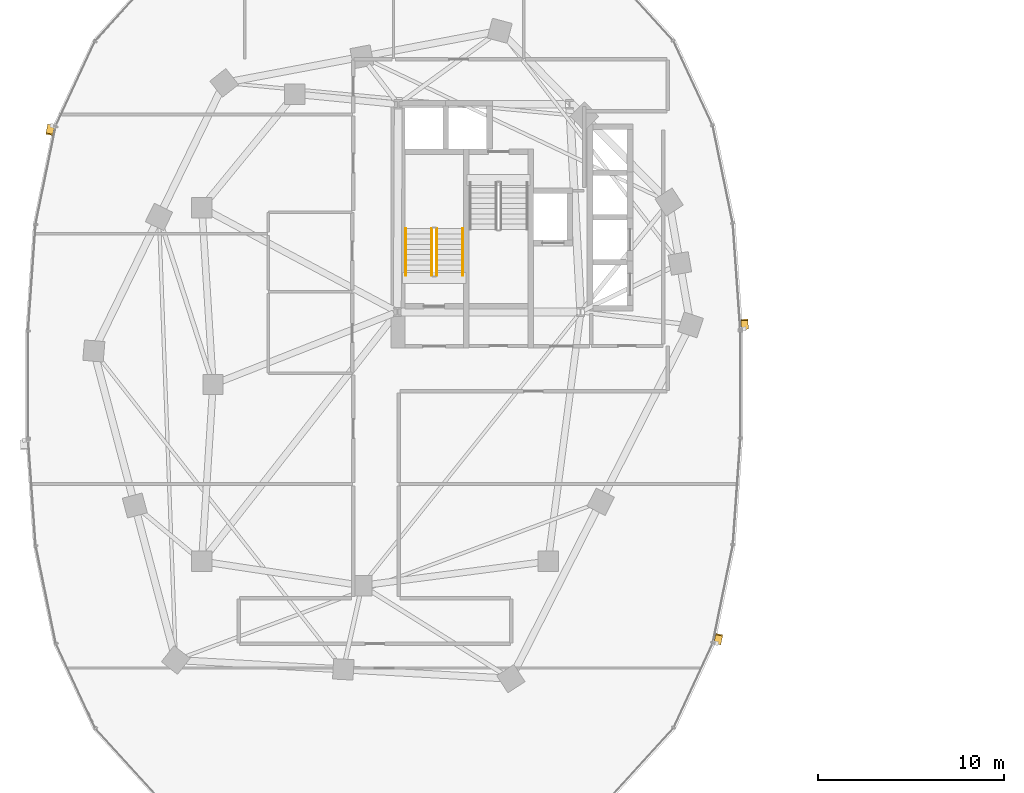
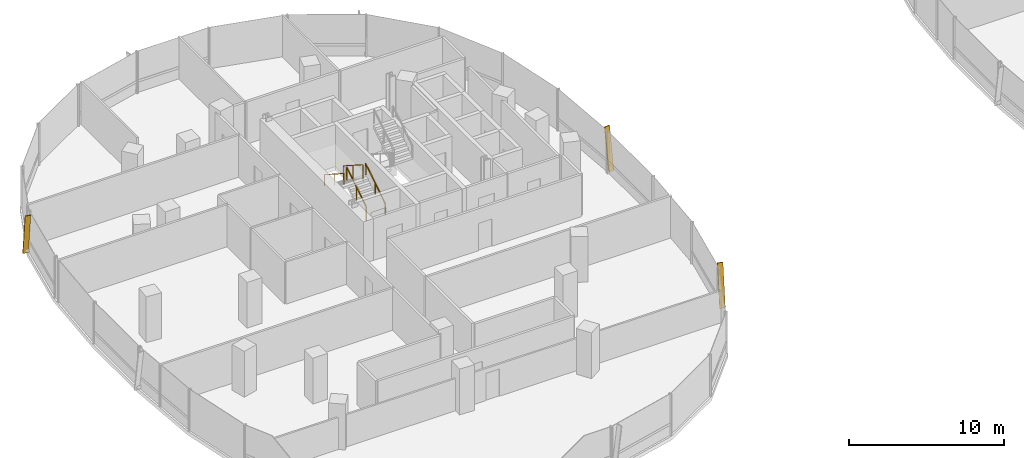
# One storey, part 18 of 21: 4 railings, 3 shading devices.
"""IFC4 building model written with IfcOpenShell, lengths in metres."""

from ifc_helpers import new_model, si_unit, direction, frame, origin, origin_2d, place, context, subcontext, project, spatial, rectangle, extrude, material, material_profile, profile_set, type_object, element, save


model = new_model("IFC4")

# Units and contexts
model_context = context("Model", 3, precision=1e-05, world=origin(), true_north=direction((0.0, 1.0)))
body_context = subcontext(model_context, "Body", "Model", "MODEL_VIEW")
ifc_project = project(units=[si_unit("LENGTHUNIT", "METRE"), si_unit("AREAUNIT", "SQUARE_METRE"), si_unit("VOLUMEUNIT", "CUBIC_METRE"), si_unit("PLANEANGLEUNIT", "RADIAN"), si_unit("MASSUNIT", "GRAM", prefix="KILO"), si_unit("THERMODYNAMICTEMPERATUREUNIT", "KELVIN"), si_unit("POWERUNIT", "WATT")], contexts=[model_context])

# Site, building, storey
site_placement = place(None, origin())
site = spatial("IfcSite", under=ifc_project, at=site_placement, CompositionType="ELEMENT")
building_placement = place(site_placement, origin())
building = spatial("IfcBuilding", under=site, at=building_placement, Name="Cundina Bronze Exchange", CompositionType="ELEMENT")
storey_placement = place(building_placement, frame((0.0, 0.0, 121.39990234375)))
storey = spatial("IfcBuildingStorey", under=building, at=storey_placement, Name="L31", CompositionType="ELEMENT", Elevation=121.39990234375)

# Railings
ifc_material_1 = material(Name="Steel ASTM A36 Painted", Category="steel")
railing_type_1 = type_object("IfcRailingType", Name="RLG-HND-900", PredefinedType="HANDRAIL", material=ifc_material_1)
railing_1_placement = place(storey_placement, frame((-27.7900390625, 5.85009765625, 0.18017578125)))
element("IfcRailing", 1, at=railing_1_placement, inside=storey, type_object=railing_type_1, Name="L31 ST-W1 stair handrail 1", PredefinedType="HANDRAIL", context=body_context, shape_type="SweptSolid", body=[
    extrude(rectangle(XDim=0.048095703125, YDim=0.048095703125, at=origin_2d()), frame((0.0, 0.0, 0.8759765625), z_axis=(0.0, 0.841199657755, 0.540724639528), x_axis=(-1.0, 0.0, 0.0)), (0.0, 0.0, 1.0), 2.995849609375),
    extrude(rectangle(XDim=0.0419921875, YDim=0.0419921875, at=origin_2d()), origin(), (0.0, 0.0, 1.0), 0.851806640625),
    extrude(rectangle(XDim=0.0419921875, YDim=0.0419921875, at=origin_2d()), frame((0.0, 1.260009765625, 0.81005859375)), (0.0, 0.0, 1.0), 0.851806640625),
    extrude(rectangle(XDim=0.0419921875, YDim=0.0419921875, at=origin_2d()), frame((0.0, 2.52001953125, 1.619873046875)), (0.0, 0.0, 1.0), 0.851806640625),
])
railing_2_placement = place(storey_placement, frame((-30.85009765625, 8.3701171875, 1.97998046875)))
element("IfcRailing", 2, at=railing_2_placement, inside=storey, type_object=railing_type_1, Name="L31 ST-W1 stair handrail 2", PredefinedType="HANDRAIL", context=body_context, shape_type="SweptSolid", body=[
    extrude(rectangle(XDim=0.048095703125, YDim=0.048095703125, at=origin_2d()), frame((0.0, 0.0, 0.8759765625), z_axis=(0.0, -0.841162588446, 0.540782303519), x_axis=(1.0, 0.0, 0.0)), (0.0, 0.0, 1.0), 2.995849609375),
    extrude(rectangle(XDim=0.0419921875, YDim=0.0419921875, at=origin_2d()), origin(), (0.0, 0.0, 1.0), 0.851806640625),
    extrude(rectangle(XDim=0.0419921875, YDim=0.0419921875, at=origin_2d()), frame((0.0, -1.260009765625, 0.81005859375)), (0.0, 0.0, 1.0), 0.851806640625),
    extrude(rectangle(XDim=0.0419921875, YDim=0.0419921875, at=origin_2d()), frame((0.0, -2.52001953125, 1.6201171875)), (0.0, 0.0, 1.0), 0.851806640625),
])
railing_type_2 = type_object("IfcRailingType", Name="RLG-STG-1100", PredefinedType="GUARDRAIL", material=ifc_material_1)
railing_3_placement = place(storey_placement, frame((-29.18994140625, 5.85009765625, 0.18017578125)))
element("IfcRailing", 3, at=railing_3_placement, inside=storey, type_object=railing_type_2, Name="L31 ST-W1 stair guard 1", PredefinedType="GUARDRAIL", context=body_context, shape_type="SweptSolid", body=[
    extrude(rectangle(XDim=0.048095703125, YDim=0.048095703125, at=origin_2d()), frame((0.0, 0.0, 1.076171875), z_axis=(0.0, 0.841199657755, 0.540724639528), x_axis=(-1.0, 0.0, 0.0)), (0.0, 0.0, 1.0), 2.995849609375),
    extrude(rectangle(XDim=0.0419921875, YDim=0.0419921875, at=origin_2d()), origin(), (0.0, 0.0, 1.0), 1.052001953125),
    extrude(rectangle(XDim=0.0419921875, YDim=0.0419921875, at=origin_2d()), frame((0.0, 1.260009765625, 0.81005859375)), (0.0, 0.0, 1.0), 1.052001953125),
    extrude(rectangle(XDim=0.0419921875, YDim=0.0419921875, at=origin_2d()), frame((0.0, 2.52001953125, 1.619873046875)), (0.0, 0.0, 1.0), 1.052001953125),
])
railing_4_placement = place(storey_placement, frame((-29.449951171875, 8.3701171875, 1.97998046875)))
element("IfcRailing", 4, at=railing_4_placement, inside=storey, type_object=railing_type_2, Name="L31 ST-W1 stair guard 3", PredefinedType="GUARDRAIL", context=body_context, shape_type="SweptSolid", body=[
    extrude(rectangle(XDim=0.048095703125, YDim=0.048095703125, at=origin_2d()), frame((0.0, 0.0, 1.076171875), z_axis=(0.0, -0.841162588446, 0.540782303519), x_axis=(1.0, 0.0, 0.0)), (0.0, 0.0, 1.0), 2.995849609375),
    extrude(rectangle(XDim=0.0419921875, YDim=0.0419921875, at=origin_2d()), origin(), (0.0, 0.0, 1.0), 1.052001953125),
    extrude(rectangle(XDim=0.0419921875, YDim=0.0419921875, at=origin_2d()), frame((0.0, -1.260009765625, 0.81005859375)), (0.0, 0.0, 1.0), 1.052001953125),
    extrude(rectangle(XDim=0.0419921875, YDim=0.0419921875, at=origin_2d()), frame((0.0, -2.52001953125, 1.6201171875)), (0.0, 0.0, 1.0), 1.052001953125),
])

# Shading devices
ifc_material_2 = material(Name="Anodised Bronze Aluminium 6063-T6", Category="aluminium")
ifc_material_profile = material_profile(ifc_material_2, rectangle(XDim=0.070068359375, YDim=0.3798828125, at=origin_2d()), Name="FIN70X380", Category="aluminium")
ifc_profile_set = profile_set([ifc_material_profile], Name="Anodised Bronze Aluminium 6063-T6")
shading_device_type = type_object("IfcShadingDeviceType", Name="SHD-FIN-BRZ380", PredefinedType="USERDEFINED", material=ifc_profile_set)
for number, where, z_axis, x_axis, name in (
    (5, (-12.6259765625, 2.993896484375, 0.02001953125), (-0.010224545828, 0.145292278041, 0.989335945271), (0.069450050635, -0.986895284755, 0.145651595925), "L31 Diagonal Bronze Solar Fin 1"),
    (6, (-49.89599609375, 13.911865234375, 0.02001953125), (-0.029413888538, -0.142698109128, 0.989329102378), (0.199728220342, 0.968958570224, 0.145698068578), "L31 Diagonal Bronze Solar Fin 5"),
    (7, (-14.10400390625, -13.911865234375, 0.02001953125), (0.029413888538, 0.142698109128, 0.989329102378), (-0.199728220342, -0.968958570224, 0.145698068578), "L31 Diagonal Bronze Solar Fin 5"),
):
    element("IfcShadingDevice", number, at=place(storey_placement, frame(where, z_axis=z_axis, x_axis=x_axis)), inside=storey, type_object=shading_device_type, Name=name, ObjectType="FIN", PredefinedType="USERDEFINED", context=body_context, shape_type="SweptSolid", body=[
        extrude(rectangle(XDim=0.070068359375, YDim=0.3798828125, at=origin_2d()), origin(), (0.0, 0.0, 1.0), 3.295166015625),
    ])

save(model, "model.ifc")
